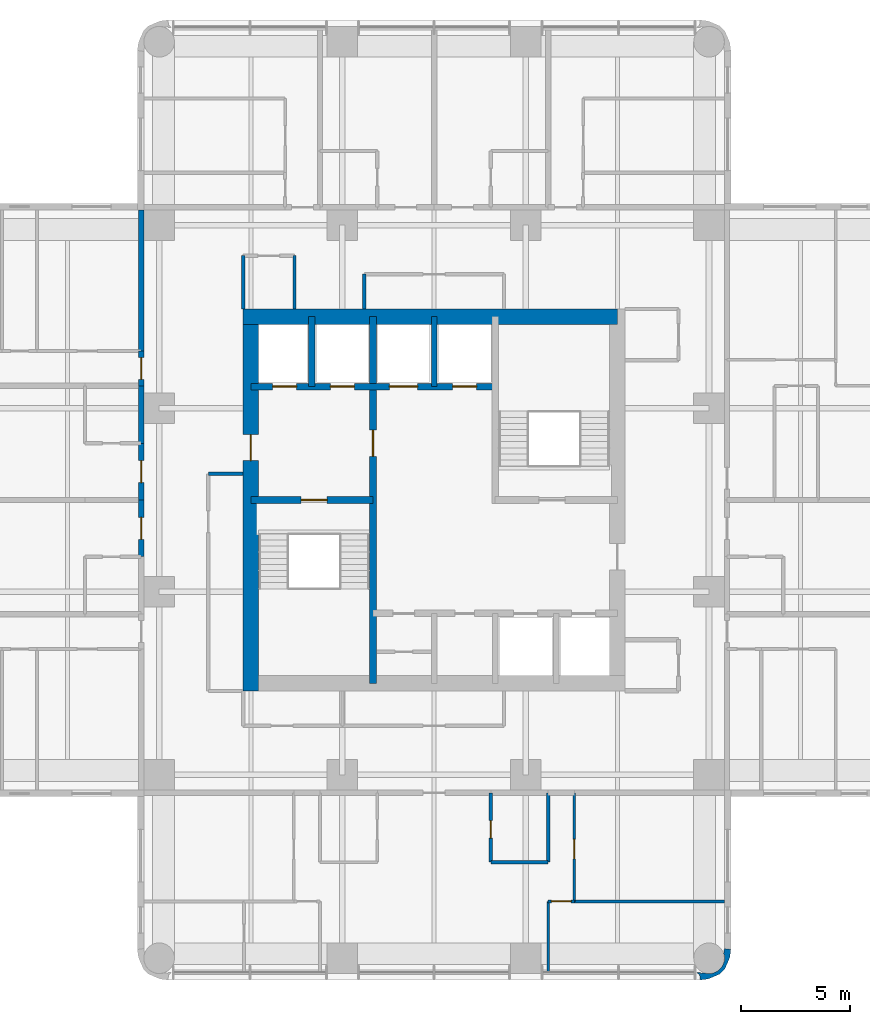
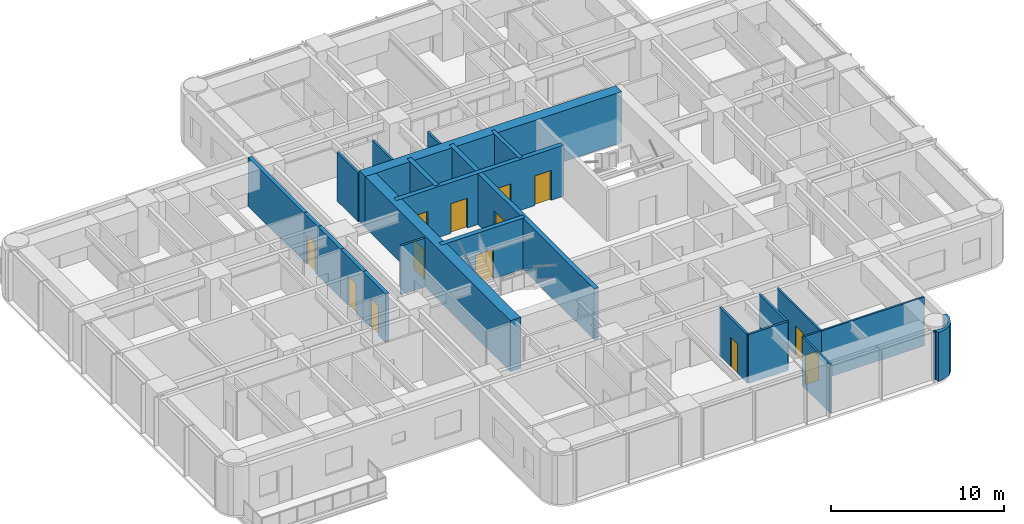
# One storey, part 6 of 11: 24 walls, 13 doors, 13 openings.
"""IFC4 building model written with IfcOpenShell, lengths in metres."""

from ifc_helpers import new_model, si_unit, direction, frame, frame_2d, origin, place, context, subcontext, project, spatial, polyline, rectangle, outline, extrude, material, layer, layer_set, type_object, element, fill, save


model = new_model("IFC4")

# Units and contexts
model_context = context("Model", 3, precision=1e-05, world=origin(), true_north=direction((0.0, 1.0)))
body_context = subcontext(model_context, "Body", "Model", "MODEL_VIEW")
ifc_project = project(units=[si_unit("LENGTHUNIT", "METRE"), si_unit("AREAUNIT", "SQUARE_METRE"), si_unit("VOLUMEUNIT", "CUBIC_METRE"), si_unit("PLANEANGLEUNIT", "RADIAN"), si_unit("MASSUNIT", "GRAM", prefix="KILO")], contexts=[model_context])

# Site, building, storey
site_placement = place(None, origin())
site = spatial("IfcSite", under=ifc_project, at=site_placement, CompositionType="ELEMENT")
building_placement = place(site_placement, origin())
building = spatial("IfcBuilding", under=site, at=building_placement, Name="Torre Alcanfor", CompositionType="ELEMENT")
storey_placement = place(building_placement, frame((0.0, 0.0, 222.89990234375)))
storey = spatial("IfcBuildingStorey", under=building, at=storey_placement, Name="L58", CompositionType="ELEMENT", Elevation=222.89990234375)

# Wall, opening, door
ifc_material_1 = material(Name="Concrete block masonry, hollow blocks NMX-C-404 9 MPa", Category="masonry")
ifc_layer_1 = layer(ifc_material_1, 0.25)
ifc_layer_set_1 = layer_set([ifc_layer_1], Name="Apartment entrance wall 250 EI 60")
wall_type_1 = type_object("IfcWallType", Name="Apartment entrance wall 250 EI 60", PredefinedType="PARTITIONING", material=ifc_layer_set_1)
wall_1_placement = place(storey_placement, frame((15.97509765625, 26.800048828125, 0.0), z_axis=(0.0, 0.0, 1.0), x_axis=(0.0, 1.0, 0.0)))
wall_1 = element("IfcWall", 1, at=wall_1_placement, inside=storey, type_object=wall_type_1, Name="Partition L58-CORR / L58-W1A-FOYER", PredefinedType="PARTITIONING", context=body_context, shape_type="SweptSolid", body=[
    extrude(rectangle(XDim=2.599853515625, YDim=0.25, at=frame_2d((1.2998046875, 0.0))), origin(), (0.0, 0.0, 1.0), 3.4501953125),
])
opening_1_placement = place(wall_1_placement, frame((0.800048828125, 0.0, 0.0)))
opening_1 = element("IfcOpeningElement", 2, at=opening_1_placement, cuts=wall_1, Name="Opening D-A1", PredefinedType="OPENING", context=body_context, shape_type="SweptSolid", body=[
    extrude(rectangle(XDim=1.0, YDim=2.10009765625, at=frame_2d((0.5, 1.050048828125))), frame((0.0, 0.135009765625, 0.0), z_axis=(0.0, -1.0, 0.0), x_axis=(1.0, 0.0, 0.0)), (0.0, 0.0, 1.0), 0.27001953125),
])
ifc_material_2 = material(Name="Galvanised steel sheet ASTM A653", Category="steel")
door_type_1 = type_object("IfcDoorType", Name="Apartment entrance door FD60 1000x2100", OperationType="SINGLE_SWING_LEFT", PredefinedType="DOOR", material=ifc_material_2)
door_1_placement = place(opening_1_placement, origin())
door_1 = element("IfcDoor", 3, at=door_1_placement, inside=storey, type_object=door_type_1, Name="Apartment entrance L58-W1A", OperationType="SINGLE_SWING_LEFT", OverallHeight=2.10009765625, OverallWidth=1.0, PredefinedType="DOOR", context=body_context, shape_type="SweptSolid", body=[
    extrude(rectangle(XDim=1.0, YDim=2.10009765625, at=frame_2d((0.5, 1.050048828125))), frame((0.0, 0.02490234375, 0.0), z_axis=(0.0, -1.0, 0.0), x_axis=(1.0, 0.0, 0.0)), (0.0, 0.0, 1.0), 0.050048828125),
])
fill(opening_1, door_1)

wall_2_placement = place(storey_placement, frame((15.97509765625, 29.39990234375, 0.0), z_axis=(0.0, 0.0, 1.0), x_axis=(0.0, 1.0, 0.0)))
wall_2 = element("IfcWall", 4, at=wall_2_placement, inside=storey, type_object=wall_type_1, Name="Partition L58-CORR / L58-W2A-FOYER", PredefinedType="PARTITIONING", context=body_context, shape_type="SweptSolid", body=[
    extrude(rectangle(XDim=2.60009765625, YDim=0.25, at=frame_2d((1.300048828125, 0.0))), origin(), (0.0, 0.0, 1.0), 3.4501953125),
])
opening_2_placement = place(wall_2_placement, frame((0.800048828125, 0.0, 0.0)))
opening_2 = element("IfcOpeningElement", 5, at=opening_2_placement, cuts=wall_2, Name="Opening D-A1", PredefinedType="OPENING", context=body_context, shape_type="SweptSolid", body=[
    extrude(rectangle(XDim=1.0, YDim=2.10009765625, at=frame_2d((0.5, 1.050048828125))), frame((0.0, 0.135009765625, 0.0), z_axis=(0.0, -1.0, 0.0), x_axis=(1.0, 0.0, 0.0)), (0.0, 0.0, 1.0), 0.27001953125),
])
door_2_placement = place(opening_2_placement, origin())
door_2 = element("IfcDoor", 6, at=door_2_placement, inside=storey, type_object=door_type_1, Name="Apartment entrance L58-W2A", OperationType="SINGLE_SWING_LEFT", OverallHeight=2.10009765625, OverallWidth=1.0, PredefinedType="DOOR", context=body_context, shape_type="SweptSolid", body=[
    extrude(rectangle(XDim=1.0, YDim=2.10009765625, at=frame_2d((0.5, 1.050048828125))), frame((0.0, 0.02490234375, 0.0), z_axis=(0.0, -1.0, 0.0), x_axis=(1.0, 0.0, 0.0)), (0.0, 0.0, 1.0), 0.050048828125),
])
fill(opening_2, door_2)

# Wall
wall_3_placement = place(storey_placement, frame((15.97509765625, 32.0, 0.0), z_axis=(0.0, 0.0, 1.0), x_axis=(0.0, 1.0, 0.0)))
element("IfcWall", 7, at=wall_3_placement, inside=storey, type_object=wall_type_1, Name="Partition L58-CORR / L58-W2A-BATH", PredefinedType="PARTITIONING", context=body_context, shape_type="SweptSolid", body=[
    extrude(rectangle(XDim=2.62890625, YDim=0.25, at=frame_2d((1.314453125, 0.0))), origin(), (0.0, 0.0, 1.0), 3.4501953125),
])

# Wall, opening, door
wall_4_placement = place(storey_placement, frame((15.97509765625, 34.62890625, 0.0), z_axis=(0.0, 0.0, 1.0), x_axis=(0.0, 1.0, 0.0)))
wall_4 = element("IfcWall", 8, at=wall_4_placement, inside=storey, type_object=wall_type_1, Name="Partition L58-CORR / L58-W2B-HALL", PredefinedType="PARTITIONING", context=body_context, shape_type="SweptSolid", body=[
    extrude(rectangle(XDim=1.60009765625, YDim=0.25, at=frame_2d((0.800048828125, 0.0))), origin(), (0.0, 0.0, 1.0), 3.4501953125),
])
opening_3_placement = place(wall_4_placement, frame((0.300048828125, 0.0, 0.0)))
opening_3 = element("IfcOpeningElement", 9, at=opening_3_placement, cuts=wall_4, Name="Opening D-A1", PredefinedType="OPENING", context=body_context, shape_type="SweptSolid", body=[
    extrude(rectangle(XDim=1.0, YDim=2.10009765625, at=frame_2d((0.5, 1.050048828125))), frame((0.0, 0.135009765625, 0.0), z_axis=(0.0, -1.0, 0.0), x_axis=(1.0, 0.0, 0.0)), (0.0, 0.0, 1.0), 0.27001953125),
])
door_3_placement = place(opening_3_placement, origin())
door_3 = element("IfcDoor", 10, at=door_3_placement, inside=storey, type_object=door_type_1, Name="Apartment entrance L58-W2B", OperationType="SINGLE_SWING_LEFT", OverallHeight=2.10009765625, OverallWidth=1.0, PredefinedType="DOOR", context=body_context, shape_type="SweptSolid", body=[
    extrude(rectangle(XDim=1.0, YDim=2.10009765625, at=frame_2d((0.5, 1.050048828125))), frame((0.0, 0.02490234375, 0.0), z_axis=(0.0, -1.0, 0.0), x_axis=(1.0, 0.0, 0.0)), (0.0, 0.0, 1.0), 0.050048828125),
])
fill(opening_3, door_3)

# Wall
wall_5_placement = place(storey_placement, frame((15.97509765625, 36.22900390625, 0.0), z_axis=(0.0, 0.0, 1.0), x_axis=(0.0, 1.0, 0.0)))
element("IfcWall", 11, at=wall_5_placement, inside=storey, type_object=wall_type_1, Name="Partition L58-CORR / L58-W2B-MASTER", PredefinedType="PARTITIONING", context=body_context, shape_type="SweptSolid", body=[
    extrude(rectangle(XDim=6.470947265625, YDim=0.25, at=frame_2d((3.2353515625, 0.0))), origin(), (0.0, 0.0, 1.0), 3.4501953125),
])

# Wall, opening, door
ifc_material_3 = material(Name="Gypsum board on steel studs", Category="steel")
ifc_layer_2 = layer(ifc_material_3, 0.1201171875)
ifc_layer_set_2 = layer_set([ifc_layer_2], Name="Apartment partition 120")
wall_type_2 = type_object("IfcWallType", Name="Apartment partition 120", PredefinedType="PARTITIONING", material=ifc_layer_set_2)
wall_6_placement = place(storey_placement, frame((35.8291015625, 15.97509765625, 0.0), z_axis=(0.0, 0.0, 1.0), x_axis=(0.0, -1.0, 0.0)))
wall_6 = element("IfcWall", 12, at=wall_6_placement, inside=storey, type_object=wall_type_2, Name="Partition L58-SX-LIVING / L58-SX-BED2", PredefinedType="PARTITIONING", context=body_context, shape_type="SweptSolid", body=[
    extrude(rectangle(XDim=4.97509765625, YDim=0.1201171875, at=frame_2d((2.487548828125, 0.0))), origin(), (0.0, 0.0, 1.0), 3.4501953125),
])
opening_4_placement = place(wall_6_placement, frame((2.125, 0.0, 0.0)))
opening_4 = element("IfcOpeningElement", 13, at=opening_4_placement, cuts=wall_6, Name="Opening D-R1", PredefinedType="OPENING", context=body_context, shape_type="SweptSolid", body=[
    extrude(rectangle(XDim=0.89990234375, YDim=2.10009765625, at=frame_2d((0.449951171875, 1.050048828125))), frame((0.0, 0.070068359375, 0.0), z_axis=(0.0, -1.0, 0.0), x_axis=(1.0, 0.0, 0.0)), (0.0, 0.0, 1.0), 0.14013671875),
])
ifc_material_4 = material(Name="Timber", Category="wood")
door_type_2 = type_object("IfcDoorType", Name="Internal door 900x2100", OperationType="SINGLE_SWING_LEFT", PredefinedType="DOOR", material=ifc_material_4)
door_4_placement = place(opening_4_placement, origin())
door_4 = element("IfcDoor", 14, at=door_4_placement, inside=storey, type_object=door_type_2, Name="Door L58-SX bed2", OperationType="SINGLE_SWING_RIGHT", OverallHeight=2.10009765625, OverallWidth=0.89990234375, PredefinedType="DOOR", context=body_context, shape_type="SweptSolid", body=[
    extrude(rectangle(XDim=0.89990234375, YDim=2.10009765625, at=frame_2d((0.449951171875, 1.050048828125))), frame((0.0, 0.02490234375, 0.0), z_axis=(0.0, -1.0, 0.0), x_axis=(1.0, 0.0, 0.0)), (0.0, 0.0, 1.0), 0.050048828125),
])
fill(opening_4, door_4)

wall_7_placement = place(storey_placement, frame((35.8291015625, 11.0, 0.0), z_axis=(0.0, 0.0, 1.0), x_axis=(-1.0, 0.0, 0.0)))
wall_7 = element("IfcWall", 15, at=wall_7_placement, inside=storey, type_object=wall_type_2, Name="Partition L58-SX-LIVING / L58-SX-MASTER", PredefinedType="PARTITIONING", context=body_context, shape_type="SweptSolid", body=[
    extrude(rectangle(XDim=1.2001953125, YDim=0.1201171875, at=frame_2d((0.60009765625, 0.0))), origin(), (0.0, 0.0, 1.0), 3.4501953125),
])
opening_5_placement = place(wall_7_placement, frame((0.14892578125, 0.0, 0.0)))
opening_5 = element("IfcOpeningElement", 16, at=opening_5_placement, cuts=wall_7, Name="Opening D-R1", PredefinedType="OPENING", context=body_context, shape_type="SweptSolid", body=[
    extrude(rectangle(XDim=0.89990234375, YDim=2.10009765625, at=frame_2d((0.449951171875, 1.050048828125))), frame((0.0, 0.070068359375, 0.0), z_axis=(0.0, -1.0, 0.0), x_axis=(1.0, 0.0, 0.0)), (0.0, 0.0, 1.0), 0.14013671875),
])
door_5_placement = place(opening_5_placement, origin())
door_5 = element("IfcDoor", 17, at=door_5_placement, inside=storey, type_object=door_type_2, Name="Door L58-SX master", OperationType="SINGLE_SWING_RIGHT", OverallHeight=2.10009765625, OverallWidth=0.89990234375, PredefinedType="DOOR", context=body_context, shape_type="SweptSolid", body=[
    extrude(rectangle(XDim=0.89990234375, YDim=2.10009765625, at=frame_2d((0.449951171875, 1.050048828125))), frame((0.0, 0.02490234375, 0.0), z_axis=(0.0, -1.0, 0.0), x_axis=(1.0, 0.0, 0.0)), (0.0, 0.0, 1.0), 0.050048828125),
])
fill(opening_5, door_5)

# Walls
wall_8_placement = place(storey_placement, frame((34.62890625, 11.0, 0.0), z_axis=(0.0, 0.0, 1.0), x_axis=(0.0, -1.0, 0.0)))
element("IfcWall", 18, at=wall_8_placement, inside=storey, type_object=wall_type_2, Name="Partition L58-SX-LIVING / L58-SX-MASTER", PredefinedType="PARTITIONING", context=body_context, shape_type="SweptSolid", body=[
    extrude(rectangle(XDim=3.25, YDim=0.1201171875, at=frame_2d((1.625, 0.0))), origin(), (0.0, 0.0, 1.0), 3.4501953125),
])
wall_9_placement = place(storey_placement, frame((35.8291015625, 11.0, 0.0), z_axis=(0.0, 0.0, 1.0), x_axis=(1.0, 0.0, 0.0)))
element("IfcWall", 19, at=wall_9_placement, inside=storey, type_object=wall_type_2, Name="Partition L58-SX-BED2 / L58-SX-MASTER", PredefinedType="PARTITIONING", context=body_context, shape_type="SweptSolid", body=[
    extrude(rectangle(XDim=6.870849609375, YDim=0.1201171875, at=frame_2d((3.435546875, 0.0))), origin(), (0.0, 0.0, 1.0), 3.4501953125),
])

# Wall, opening, door
ifc_material_5 = material(Name="Concrete f'c 70 MPa", Category="concrete")
ifc_layer_3 = layer(ifc_material_5, 0.300048828125)
ifc_layer_set_3 = layer_set([ifc_layer_3], Name="Core inner wall 300 f'c70")
wall_type_3 = type_object("IfcWallType", Name="Core inner wall 300 f'c70", PredefinedType="SHEAR", material=ifc_layer_set_3)
wall_10_placement = place(storey_placement, frame((26.60009765625, 21.0, 0.0), z_axis=(0.0, 0.0, 1.0), x_axis=(0.0, 1.0, 0.0)))
wall_10 = element("IfcWall", 20, at=wall_10_placement, inside=storey, type_object=wall_type_3, Name="Core wall X266 L58", PredefinedType="SHEAR", context=body_context, shape_type="SweptSolid", body=[
    extrude(rectangle(XDim=16.800048828125, YDim=0.300048828125, at=frame_2d((8.39990234375, 0.0))), origin(), (0.0, 0.0, 1.0), 3.60009765625),
])
opening_6_placement = place(wall_10_placement, frame((10.39990234375, 0.0, 0.0)))
opening_6 = element("IfcOpeningElement", 21, at=opening_6_placement, cuts=wall_10, Name="Opening D-L1", PredefinedType="OPENING", context=body_context, shape_type="SweptSolid", body=[
    extrude(rectangle(XDim=1.199951171875, YDim=2.10009765625, at=frame_2d((0.60009765625, 1.050048828125))), frame((0.0, 0.159912109375, 0.0), z_axis=(0.0, -1.0, 0.0), x_axis=(1.0, 0.0, 0.0)), (0.0, 0.0, 1.0), 0.320068359375),
])
ifc_material_6 = material(Name="Galvanised steel sheet ASTM A653", Category="steel")
door_type_3 = type_object("IfcDoorType", Name="Lobby door FD120 1200x2100", OperationType="SINGLE_SWING_LEFT", PredefinedType="DOOR", material=ifc_material_6)
door_6_placement = place(opening_6_placement, origin())
door_6 = element("IfcDoor", 22, at=door_6_placement, inside=storey, type_object=door_type_3, Name="Lift lobby door L58", OperationType="SINGLE_SWING_LEFT", OverallHeight=2.10009765625, OverallWidth=1.199951171875, PredefinedType="DOOR", context=body_context, shape_type="SweptSolid", body=[
    extrude(rectangle(XDim=1.199951171875, YDim=2.10009765625, at=frame_2d((0.60009765625, 1.050048828125))), frame((0.0, 0.02490234375, 0.0), z_axis=(0.0, -1.0, 0.0), x_axis=(1.0, 0.0, 0.0)), (0.0, 0.0, 1.0), 0.050048828125),
])
fill(opening_6, door_6)

wall_11_placement = place(storey_placement, frame((21.0, 29.39990234375, 0.0), z_axis=(0.0, 0.0, 1.0), x_axis=(1.0, 0.0, 0.0)))
wall_11 = element("IfcWall", 23, at=wall_11_placement, inside=storey, type_object=wall_type_3, Name="Core wall Y294W L58", PredefinedType="SHEAR", context=body_context, shape_type="SweptSolid", body=[
    extrude(rectangle(XDim=5.60009765625, YDim=0.300048828125, at=frame_2d((2.800048828125, 0.0))), origin(), (0.0, 0.0, 1.0), 3.60009765625),
])
opening_7_placement = place(wall_11_placement, frame((2.300048828125, 0.0, 0.0)))
opening_7 = element("IfcOpeningElement", 24, at=opening_7_placement, cuts=wall_11, Name="Opening D-S2", PredefinedType="OPENING", context=body_context, shape_type="SweptSolid", body=[
    extrude(rectangle(XDim=1.199951171875, YDim=2.10009765625, at=frame_2d((0.60009765625, 1.050048828125))), frame((0.0, 0.159912109375, 0.0), z_axis=(0.0, -1.0, 0.0), x_axis=(1.0, 0.0, 0.0)), (0.0, 0.0, 1.0), 0.320068359375),
])
ifc_material_7 = material(Name="Galvanised steel sheet ASTM A653", Category="steel")
door_type_4 = type_object("IfcDoorType", Name="Stair enclosure door FD120 1200x2100", OperationType="SINGLE_SWING_LEFT", PredefinedType="DOOR", material=ifc_material_7)
door_7_placement = place(opening_7_placement, frame((1.199951171875, 0.0, 0.0), z_axis=(0.0, 0.0, 1.0), x_axis=(-1.0, 0.0, 0.0)))
door_7 = element("IfcDoor", 25, at=door_7_placement, inside=storey, type_object=door_type_4, Name="Stair S1 door L58", OperationType="SINGLE_SWING_LEFT", OverallHeight=2.10009765625, OverallWidth=1.199951171875, PredefinedType="DOOR", context=body_context, shape_type="SweptSolid", body=[
    extrude(rectangle(XDim=1.199951171875, YDim=2.10009765625, at=frame_2d((0.599853515625, 1.050048828125))), frame((0.0, 0.025146484375, 0.0), z_axis=(0.0, -1.0, 0.0), x_axis=(1.0, 0.0, 0.0)), (0.0, 0.0, 1.0), 0.050048828125),
])
fill(opening_7, door_7)

# Wall, openings, doors
wall_12_placement = place(storey_placement, frame((21.0, 34.60009765625, 0.0), z_axis=(0.0, 0.0, 1.0), x_axis=(1.0, 0.0, 0.0)))
wall_12 = element("IfcWall", 26, at=wall_12_placement, inside=storey, type_object=wall_type_3, Name="Core wall Y346 L58", PredefinedType="SHEAR", context=body_context, shape_type="SweptSolid", body=[
    extrude(rectangle(XDim=11.199951171875, YDim=0.300048828125, at=frame_2d((5.60009765625, 0.0))), origin(), (0.0, 0.0, 1.0), 3.60009765625),
])
opening_8_placement = place(wall_12_placement, frame((9.25, 0.0, 0.0)))
opening_8 = element("IfcOpeningElement", 27, at=opening_8_placement, cuts=wall_12, Name="Opening LD1", PredefinedType="OPENING", context=body_context, shape_type="SweptSolid", body=[
    extrude(rectangle(XDim=1.10009765625, YDim=2.10009765625, at=frame_2d((0.550048828125, 1.050048828125))), frame((0.0, 0.159912109375, 0.0), z_axis=(0.0, -1.0, 0.0), x_axis=(1.0, 0.0, 0.0)), (0.0, 0.0, 1.0), 0.320068359375),
])
opening_9_placement = place(wall_12_placement, frame((1.0, 0.0, 0.0)))
opening_9 = element("IfcOpeningElement", 28, at=opening_9_placement, cuts=wall_12, Name="Opening LD2", PredefinedType="OPENING", context=body_context, shape_type="SweptSolid", body=[
    extrude(rectangle(XDim=1.10009765625, YDim=2.10009765625, at=frame_2d((0.550048828125, 1.050048828125))), frame((0.0, 0.159912109375, 0.0), z_axis=(0.0, -1.0, 0.0), x_axis=(1.0, 0.0, 0.0)), (0.0, 0.0, 1.0), 0.320068359375),
])
opening_10_placement = place(wall_12_placement, frame((3.64990234375, 0.0, 0.0)))
opening_10 = element("IfcOpeningElement", 29, at=opening_10_placement, cuts=wall_12, Name="Opening LD2", PredefinedType="OPENING", context=body_context, shape_type="SweptSolid", body=[
    extrude(rectangle(XDim=1.10009765625, YDim=2.10009765625, at=frame_2d((0.550048828125, 1.050048828125))), frame((0.0, 0.159912109375, 0.0), z_axis=(0.0, -1.0, 0.0), x_axis=(1.0, 0.0, 0.0)), (0.0, 0.0, 1.0), 0.320068359375),
])
opening_11_placement = place(wall_12_placement, frame((6.35009765625, 0.0, 0.0)))
opening_11 = element("IfcOpeningElement", 30, at=opening_11_placement, cuts=wall_12, Name="Opening LD3", PredefinedType="OPENING", context=body_context, shape_type="SweptSolid", body=[
    extrude(rectangle(XDim=1.300048828125, YDim=2.10009765625, at=frame_2d((0.64990234375, 1.050048828125))), frame((0.0, 0.159912109375, 0.0), z_axis=(0.0, -1.0, 0.0), x_axis=(1.0, 0.0, 0.0)), (0.0, 0.0, 1.0), 0.320068359375),
])
ifc_material_8 = material(Name="Galvanised steel sheet ASTM A653", Category="steel")
door_type_5 = type_object("IfcDoorType", Name="Firefighting lift landing door 1100x2100", OperationType="DOUBLE_DOOR_SLIDING", PredefinedType="DOOR", material=ifc_material_8)
door_8_placement = place(opening_9_placement, origin())
door_8 = element("IfcDoor", 31, at=door_8_placement, inside=storey, type_object=door_type_5, Name="Lift landing door FL1 L58", OperationType="DOUBLE_DOOR_SLIDING", OverallHeight=2.10009765625, OverallWidth=1.10009765625, PredefinedType="DOOR", context=body_context, shape_type="SweptSolid", body=[
    extrude(rectangle(XDim=1.10009765625, YDim=2.10009765625, at=frame_2d((0.550048828125, 1.050048828125))), frame((0.0, 0.02490234375, 0.0), z_axis=(0.0, -1.0, 0.0), x_axis=(1.0, 0.0, 0.0)), (0.0, 0.0, 1.0), 0.050048828125),
])
fill(opening_9, door_8)
door_9_placement = place(opening_10_placement, origin())
door_9 = element("IfcDoor", 32, at=door_9_placement, inside=storey, type_object=door_type_5, Name="Lift landing door FL2 L58", OperationType="DOUBLE_DOOR_SLIDING", OverallHeight=2.10009765625, OverallWidth=1.10009765625, PredefinedType="DOOR", context=body_context, shape_type="SweptSolid", body=[
    extrude(rectangle(XDim=1.10009765625, YDim=2.10009765625, at=frame_2d((0.550048828125, 1.050048828125))), frame((0.0, 0.02490234375, 0.0), z_axis=(0.0, -1.0, 0.0), x_axis=(1.0, 0.0, 0.0)), (0.0, 0.0, 1.0), 0.050048828125),
])
fill(opening_10, door_9)
ifc_material_9 = material(Name="Galvanised steel sheet ASTM A653", Category="steel")
door_type_6 = type_object("IfcDoorType", Name="Lift landing door 1100x2100", OperationType="DOUBLE_DOOR_SLIDING", PredefinedType="DOOR", material=ifc_material_9)
door_10_placement = place(opening_8_placement, origin())
door_10 = element("IfcDoor", 33, at=door_10_placement, inside=storey, type_object=door_type_6, Name="Lift landing door PA5 L58", OperationType="DOUBLE_DOOR_SLIDING", OverallHeight=2.10009765625, OverallWidth=1.10009765625, PredefinedType="DOOR", context=body_context, shape_type="SweptSolid", body=[
    extrude(rectangle(XDim=1.10009765625, YDim=2.10009765625, at=frame_2d((0.550048828125, 1.050048828125))), frame((0.0, 0.02490234375, 0.0), z_axis=(0.0, -1.0, 0.0), x_axis=(1.0, 0.0, 0.0)), (0.0, 0.0, 1.0), 0.050048828125),
])
fill(opening_8, door_10)
ifc_material_10 = material(Name="Galvanised steel sheet ASTM A653", Category="steel")
door_type_7 = type_object("IfcDoorType", Name="Service lift landing door 1300x2100", OperationType="DOUBLE_DOOR_SLIDING", PredefinedType="DOOR", material=ifc_material_10)
door_11_placement = place(opening_11_placement, origin())
door_11 = element("IfcDoor", 34, at=door_11_placement, inside=storey, type_object=door_type_7, Name="Lift landing door SL1 L58", OperationType="DOUBLE_DOOR_SLIDING", OverallHeight=2.10009765625, OverallWidth=1.300048828125, PredefinedType="DOOR", context=body_context, shape_type="SweptSolid", body=[
    extrude(rectangle(XDim=1.300048828125, YDim=2.10009765625, at=frame_2d((0.64990234375, 1.050048828125))), frame((0.0, 0.02490234375, 0.0), z_axis=(0.0, -1.0, 0.0), x_axis=(1.0, 0.0, 0.0)), (0.0, 0.0, 1.0), 0.050048828125),
])
fill(opening_11, door_11)

# Walls
wall_13_placement = place(storey_placement, frame((23.800048828125, 34.60009765625, 0.0), z_axis=(0.0, 0.0, 1.0), x_axis=(0.0, 1.0, 0.0)))
element("IfcWall", 35, at=wall_13_placement, inside=storey, type_object=wall_type_3, Name="Core wall X238 L58", PredefinedType="SHEAR", context=body_context, shape_type="SweptSolid", body=[
    extrude(rectangle(XDim=3.199951171875, YDim=0.300048828125, at=frame_2d((1.60009765625, 0.0))), origin(), (0.0, 0.0, 1.0), 3.60009765625),
])
ifc_material_11 = material(Name="Concrete f'c 70 MPa", Category="concrete")
ifc_layer_4 = layer(ifc_material_11, 0.25)
ifc_layer_set_4 = layer_set([ifc_layer_4], Name="Core shaft wall 250 f'c70")
wall_type_4 = type_object("IfcWallType", Name="Core shaft wall 250 f'c70", PredefinedType="SHEAR", material=ifc_layer_set_4)
wall_14_placement = place(storey_placement, frame((29.39990234375, 34.60009765625, 0.0), z_axis=(0.0, 0.0, 1.0), x_axis=(0.0, 1.0, 0.0)))
element("IfcWall", 36, at=wall_14_placement, inside=storey, type_object=wall_type_4, Name="Core wall X294N L58", PredefinedType="SHEAR", context=body_context, shape_type="SweptSolid", body=[
    extrude(rectangle(XDim=3.199951171875, YDim=0.25, at=frame_2d((1.60009765625, 0.0))), origin(), (0.0, 0.0, 1.0), 3.60009765625),
])
ifc_material_12 = material(Name="Concrete f'c 70 MPa", Category="concrete")
ifc_layer_5 = layer(ifc_material_12, 0.699951171875)
ifc_layer_set_5 = layer_set([ifc_layer_5], Name="Core wall 700 f'c70")
wall_type_5 = type_object("IfcWallType", Name="Core wall 700 f'c70", PredefinedType="SHEAR", material=ifc_layer_set_5)
wall_15_placement = place(storey_placement, frame((37.800048828125, 37.800048828125, 0.0), z_axis=(0.0, 0.0, 1.0), x_axis=(-1.0, 0.0, 0.0)))
element("IfcWall", 37, at=wall_15_placement, inside=storey, type_object=wall_type_5, Name="Core wall OUT-N L58", PredefinedType="SHEAR", context=body_context, shape_type="SweptSolid", body=[
    extrude(rectangle(XDim=17.150146484375, YDim=0.699951171875, at=frame_2d((8.5751953125, 0.0))), origin(), (0.0, 0.0, 1.0), 3.60009765625),
])

# Wall, opening, door
wall_16_placement = place(storey_placement, frame((21.0, 37.800048828125, 0.0), z_axis=(0.0, 0.0, 1.0), x_axis=(0.0, -1.0, 0.0)))
wall_16 = element("IfcWall", 38, at=wall_16_placement, inside=storey, type_object=wall_type_5, Name="Core wall OUT-W L58", PredefinedType="SHEAR", context=body_context, shape_type="SweptSolid", body=[
    extrude(rectangle(XDim=17.150146484375, YDim=0.699951171875, at=frame_2d((8.5751953125, 0.0))), origin(), (0.0, 0.0, 1.0), 3.60009765625),
])
opening_12_placement = place(wall_16_placement, frame((5.39990234375, 0.0, 0.0)))
opening_12 = element("IfcOpeningElement", 39, at=opening_12_placement, cuts=wall_16, Name="Opening D-L1", PredefinedType="OPENING", context=body_context, shape_type="SweptSolid", body=[
    extrude(rectangle(XDim=1.199951171875, YDim=2.10009765625, at=frame_2d((0.60009765625, 1.050048828125))), frame((0.0, 0.35986328125, 0.0), z_axis=(0.0, -1.0, 0.0), x_axis=(1.0, 0.0, 0.0)), (0.0, 0.0, 1.0), 0.719970703125),
])
door_12_placement = place(opening_12_placement, origin())
door_12 = element("IfcDoor", 40, at=door_12_placement, inside=storey, type_object=door_type_3, Name="Firefighting lobby door L58", OperationType="SINGLE_SWING_LEFT", OverallHeight=2.10009765625, OverallWidth=1.199951171875, PredefinedType="DOOR", context=body_context, shape_type="SweptSolid", body=[
    extrude(rectangle(XDim=1.199951171875, YDim=2.10009765625, at=frame_2d((0.60009765625, 1.050048828125))), frame((0.0, 0.02490234375, 0.0), z_axis=(0.0, -1.0, 0.0), x_axis=(1.0, 0.0, 0.0)), (0.0, 0.0, 1.0), 0.050048828125),
])
fill(opening_12, door_12)

# Walls
ifc_material_13 = material(Name="Concrete block masonry, hollow blocks NMX-C-404 9 MPa", Category="masonry")
ifc_layer_6 = layer(ifc_material_13, 0.14990234375)
ifc_layer_set_6 = layer_set([ifc_layer_6], Name="Residents' room partition 150")
wall_type_6 = type_object("IfcWallType", Name="Residents' room partition 150", PredefinedType="PARTITIONING", material=ifc_layer_set_6)
for number, where, z_axis, x_axis, name in (
    (41, (23.0, 38.14990234375, 0.0), (0.0, 0.0, 1.0), (0.0, 1.0, 0.0), "Partition L58-CORR / L58-G01"),
    (42, (20.64990234375, 40.60009765625, 0.0), (0.0, 0.0, 1.0), (0.0, -1.0, 0.0), "Partition L58-CORR / L58-G01"),
):
    element("IfcWall", number, at=place(storey_placement, frame(where, z_axis=z_axis, x_axis=x_axis)), inside=storey, type_object=wall_type_6, Name=name, PredefinedType="PARTITIONING", context=body_context, shape_type="SweptSolid", body=[
        extrude(rectangle(XDim=2.4501953125, YDim=0.14990234375, at=frame_2d((1.22509765625, 0.0))), origin(), (0.0, 0.0, 1.0), 3.4501953125),
    ])
wall_17_placement = place(storey_placement, frame((26.199951171875, 39.75, 0.0), z_axis=(0.0, 0.0, 1.0), x_axis=(0.0, -1.0, 0.0)))
element("IfcWall", 43, at=wall_17_placement, inside=storey, type_object=wall_type_6, Name="Partition L58-CORR / L58-G02", PredefinedType="PARTITIONING", context=body_context, shape_type="SweptSolid", body=[
    extrude(rectangle(XDim=1.60009765625, YDim=0.14990234375, at=frame_2d((0.800048828125, 0.0))), origin(), (0.0, 0.0, 1.0), 3.4501953125),
])
wall_18_placement = place(storey_placement, frame((20.64990234375, 30.60009765625, 0.0), z_axis=(0.0, 0.0, 1.0), x_axis=(-1.0, 0.0, 0.0)))
element("IfcWall", 44, at=wall_18_placement, inside=storey, type_object=wall_type_6, Name="Partition L58-CORR / L58-G07", PredefinedType="PARTITIONING", context=body_context, shape_type="SweptSolid", body=[
    extrude(rectangle(XDim=1.599853515625, YDim=0.14990234375, at=frame_2d((0.7998046875, 0.0))), origin(), (0.0, 0.0, 1.0), 3.4501953125),
])
ifc_material_14 = material(Name="Limestone cladding", Category="masonry")
ifc_layer_7 = layer(ifc_material_14, 0.0400390625, Name="Facing")
ifc_material_15 = material(Name="Ventilated air cavity")
ifc_layer_8 = layer(ifc_material_15, 0.02001953125, ventilated=True, Name="Ventilated joint")
ifc_material_16 = material(Name="Mineral wool insulation", Category="insulation")
ifc_layer_9 = layer(ifc_material_16, 0.10009765625, Name="Insulation")
ifc_material_17 = material(Name="Concrete f'c 35 MPa", Category="concrete")
ifc_layer_10 = layer(ifc_material_17, 0.139892578125, Name="Backing")
ifc_layer_set_7 = layer_set([ifc_layer_7, ifc_layer_8, ifc_layer_9, ifc_layer_10], Name="Rounded corner pier stone-clad 300")
wall_type_7 = type_object("IfcWallType", Name="Rounded corner pier stone-clad 300", PredefinedType="SOLIDWALL", material=ifc_layer_set_7)
wall_19_placement = place(storey_placement, frame((41.487674505, 7.81184816, 0.0), z_axis=(0.0, 0.0, 1.0), x_axis=(0.439933741929, -0.898030234854, 0.0)))
element("IfcWall", 45, at=wall_19_placement, inside=storey, type_object=wall_type_7, Name="Corner pier L58 16", PredefinedType="SOLIDWALL", context=body_context, shape_type="SweptSolid", body=[
    extrude(outline(polyline([(-0.22211106405008596, 1.79285683715578), (-0.38963046514304167, 1.5408036407584151), (-0.3716523207929293, 1.5319963734639448), (-0.19468756344442484, 1.4143112499146666), (-0.11952867709650372, 1.4095716139925836), (0.13084986982823227, 1.2869143060622759), (0.31521775375122, 1.077790939273673), (0.4056918504372342, 0.8140758848288827), (0.38808178724257975, 0.5356161745678794), (0.2654244793122719, 0.2852376276431435), (0.2089428669679142, 0.23542648619150297), (0.14753391384334946, 0.052913590909571956), (0.10500025525893722, 0.07375029645990445), (0.031856974435347366, -0.07555599991115089), (0.1375846098688884, -0.03953909720776211), (0.1818140873587874, -0.00030939302076338215), (0.41939853572309777, -0.08026947549461516), (0.5358164427032454, 0.26614260505761644), (0.5587307592354187, 0.6309028220812384), (0.5547454122460747, 0.6510699721236227), (0.5663481591314005, 0.8356895887147825), (0.4554073490163316, 1.1591818423176052), (0.33330228334154954, 1.2978396679318425), (0.3239786746038034, 1.3165440299102549), (0.08230538830534162, 1.5907138760183892), (-0.22211106405008596, 1.79285683715578)])), origin(), (0.0, 0.0, 1.0), 3.4501953125),
])

# Wall, opening, door
ifc_material_18 = material(Name="Cement board on steel studs", Category="steel")
ifc_layer_11 = layer(ifc_material_18, 0.14990234375)
ifc_layer_set_8 = layer_set([ifc_layer_11], Name="Wet area partition 150")
wall_type_8 = type_object("IfcWallType", Name="Wet area partition 150", PredefinedType="PARTITIONING", material=ifc_layer_set_8)
wall_20_placement = place(storey_placement, frame((32.0, 12.800048828125, 0.0), z_axis=(0.0, 0.0, 1.0), x_axis=(0.0, 1.0, 0.0)))
wall_20 = element("IfcWall", 46, at=wall_20_placement, inside=storey, type_object=wall_type_8, Name="Partition L58-SX-ZAG / L58-SX-BATH2", PredefinedType="PARTITIONING", context=body_context, shape_type="SweptSolid", body=[
    extrude(rectangle(XDim=3.175048828125, YDim=0.14990234375, at=frame_2d((1.58740234375, 0.0))), origin(), (0.0, 0.0, 1.0), 3.4501953125),
])
opening_13_placement = place(wall_20_placement, frame((1.10009765625, 0.0, 0.0)))
opening_13 = element("IfcOpeningElement", 47, at=opening_13_placement, cuts=wall_20, Name="Opening D-R2", PredefinedType="OPENING", context=body_context, shape_type="SweptSolid", body=[
    extrude(rectangle(XDim=0.800048828125, YDim=2.10009765625, at=frame_2d((0.39990234375, 1.050048828125))), frame((0.0, 0.0849609375, 0.0), z_axis=(0.0, -1.0, 0.0), x_axis=(1.0, 0.0, 0.0)), (0.0, 0.0, 1.0), 0.169921875),
])
ifc_material_19 = material(Name="Timber", Category="wood")
door_type_8 = type_object("IfcDoorType", Name="Bathroom door 800x2100", OperationType="SINGLE_SWING_LEFT", PredefinedType="DOOR", material=ifc_material_19)
door_13_placement = place(opening_13_placement, frame((0.800048828125, 0.0, 0.0), z_axis=(0.0, 0.0, 1.0), x_axis=(-1.0, 0.0, 0.0)))
door_13 = element("IfcDoor", 48, at=door_13_placement, inside=storey, type_object=door_type_8, Name="Door L58-SX bath2", OperationType="SINGLE_SWING_RIGHT", OverallHeight=2.10009765625, OverallWidth=0.800048828125, PredefinedType="DOOR", context=body_context, shape_type="SweptSolid", body=[
    extrude(rectangle(XDim=0.800048828125, YDim=2.10009765625, at=frame_2d((0.400146484375, 1.050048828125))), frame((0.0, 0.025146484375, 0.0), z_axis=(0.0, -1.0, 0.0), x_axis=(1.0, 0.0, 0.0)), (0.0, 0.0, 1.0), 0.050048828125),
])
fill(opening_13, door_13)

# Walls
wall_21_placement = place(storey_placement, frame((32.0, 12.800048828125, 0.0), z_axis=(0.0, 0.0, 1.0), x_axis=(1.0, 0.0, 0.0)))
element("IfcWall", 49, at=wall_21_placement, inside=storey, type_object=wall_type_8, Name="Partition L58-SX-BATH2 / L58-SX-LIVING", PredefinedType="PARTITIONING", context=body_context, shape_type="SweptSolid", body=[
    extrude(rectangle(XDim=2.62890625, YDim=0.14990234375, at=frame_2d((1.314453125, 0.0))), origin(), (0.0, 0.0, 1.0), 3.4501953125),
])
wall_22_placement = place(storey_placement, frame((34.62890625, 12.800048828125, 0.0), z_axis=(0.0, 0.0, 1.0), x_axis=(0.0, 1.0, 0.0)))
element("IfcWall", 50, at=wall_22_placement, inside=storey, type_object=wall_type_8, Name="Partition L58-SX-BATH2 / L58-SX-LIVING", PredefinedType="PARTITIONING", context=body_context, shape_type="SweptSolid", body=[
    extrude(rectangle(XDim=3.175048828125, YDim=0.14990234375, at=frame_2d((1.58740234375, 0.0))), origin(), (0.0, 0.0, 1.0), 3.4501953125),
])

save(model, "model.ifc")
